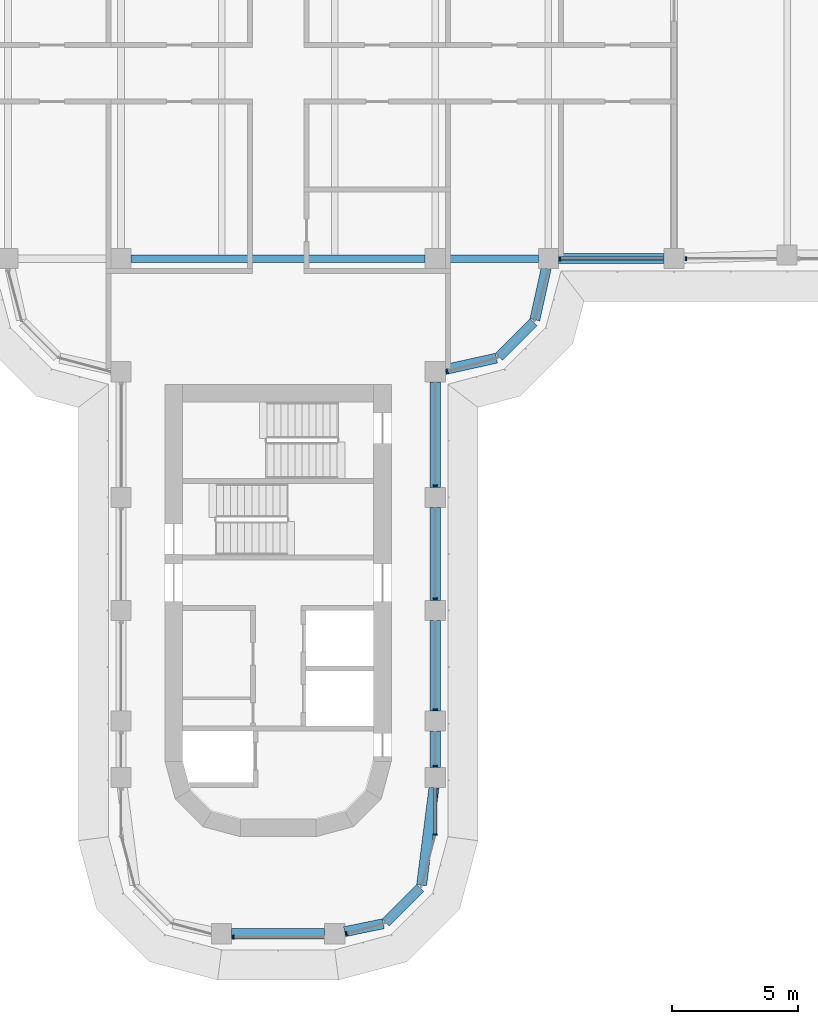
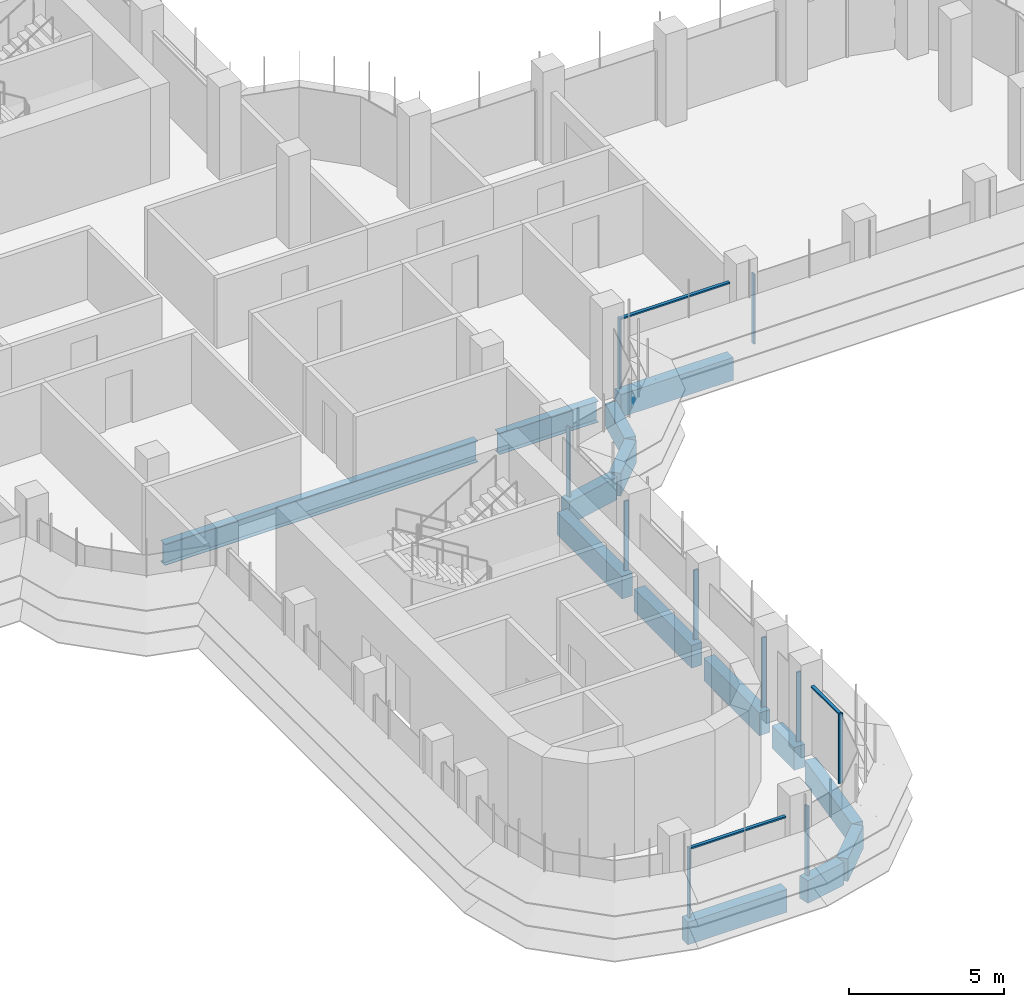
# One storey, part 4 of 20: 14 beams, 13 members, 5 elements without a shape of their own.
"""IFC4 building model written with IfcOpenShell, lengths in metres."""

from ifc_helpers import new_model, si_unit, direction, frame, origin, origin_2d, place, context, subcontext, project, spatial, polyline, rectangle, i_section, outline, extrude, source, transform, mapped, material, material_profile, profile_set, type_object, element, aggregate, save


model = new_model("IFC4")

# Units and contexts
model_context = context("Model", 3, precision=1e-05, world=origin(), true_north=direction((0.0, 1.0)))
body_context = subcontext(model_context, "Body", "Model", "MODEL_VIEW")
ifc_project = project(units=[si_unit("LENGTHUNIT", "METRE"), si_unit("AREAUNIT", "SQUARE_METRE"), si_unit("VOLUMEUNIT", "CUBIC_METRE"), si_unit("PLANEANGLEUNIT", "RADIAN"), si_unit("MASSUNIT", "GRAM", prefix="KILO")], contexts=[model_context])

# Site, building, storey
site_placement = place(None, origin())
site = spatial("IfcSite", under=ifc_project, at=site_placement, CompositionType="ELEMENT")
building_placement = place(site_placement, origin())
building = spatial("IfcBuilding", under=site, at=building_placement, Name="Zarbagh Exchange Tower", CompositionType="ELEMENT")
storey_placement = place(building_placement, frame((0.0, 0.0, 148.60009765625)))
storey = spatial("IfcBuildingStorey", under=building, at=storey_placement, Name="L35", CompositionType="ELEMENT", Elevation=148.60009765625)

# Beams
ifc_material_1 = material(Name="Steel ASTM A992 Gr 50", Category="steel")
ifc_material_profile_1 = material_profile(ifc_material_1, i_section(OverallWidth=0.2919921875, OverallDepth=0.835693359375, WebThickness=0.013916015625, FlangeThickness=0.018798828125, at=origin_2d()), Name="W33X118")
ifc_profile_set_1 = profile_set([ifc_material_profile_1], Name="Steel ASTM A992 Gr 50")
beam_type_1 = type_object("IfcBeamType", Name="Floor girder W33X118", PredefinedType="BEAM", material=ifc_profile_set_1)
beam_1_placement = place(storey_placement, frame((-5.85009765625, -6.25, -0.56787109375), z_axis=(1.0, 0.0, 0.0), x_axis=(0.0, 1.0, 0.0)))
element("IfcBeam", 1, at=beam_1_placement, inside=storey, type_object=beam_type_1, Name="Steel girder", PredefinedType="BEAM", context=body_context, shape_type="SweptSolid", body=[
    extrude(i_section(OverallWidth=0.2919921875, OverallDepth=0.835693359375, WebThickness=0.013916015625, FlangeThickness=0.018798828125, at=origin_2d()), origin(), (0.0, 0.0, 1.0), 11.7001953125),
])
beam_2_placement = place(storey_placement, frame((6.64990234375, -6.25, -0.56787109375), z_axis=(1.0, 0.0, 0.0), x_axis=(0.0, 1.0, 0.0)))
element("IfcBeam", 2, at=beam_2_placement, inside=storey, type_object=beam_type_1, Name="Steel girder", PredefinedType="BEAM", context=body_context, shape_type="SweptSolid", body=[
    extrude(i_section(OverallWidth=0.2919921875, OverallDepth=0.835693359375, WebThickness=0.013916015625, FlangeThickness=0.018798828125, at=origin_2d()), origin(), (0.0, 0.0, 1.0), 3.7001953125),
])
ifc_material_2 = material(Name="Concrete C50/60", Category="concrete")
ifc_material_profile_2 = material_profile(ifc_material_2, rectangle(XDim=0.39990234375, YDim=0.89990234375, at=origin_2d()), Name="RC spandrel beam 400 x 900 C50/60")
ifc_profile_set_2 = profile_set([ifc_material_profile_2], Name="Concrete C50/60")
beam_type_2 = type_object("IfcBeamType", Name="RC spandrel beam 400 x 900 C50/60", PredefinedType="SPANDREL", material=ifc_profile_set_2)
beam_3_placement = place(storey_placement, frame((15.35009765625, -6.25, -0.60009765625), z_axis=(-1.0, 0.0, 0.0), x_axis=(0.0, -1.0, 0.0)))
element("IfcBeam", 3, at=beam_3_placement, inside=storey, type_object=beam_type_2, Name="RC spandrel beam", PredefinedType="SPANDREL", context=body_context, shape_type="SweptSolid", body=[
    extrude(rectangle(XDim=0.39990234375, YDim=0.89990234375, at=origin_2d()), origin(), (0.0, 0.0, 1.0), 4.2001953125),
])
beam_4_placement = place(storey_placement, frame((10.66357421875, -6.640625, -0.60009765625), z_axis=(-0.216041061437, -0.976384278741, 0.0), x_axis=(0.976384278741, -0.216041061437, 0.0)))
element("IfcBeam", 4, at=beam_4_placement, inside=storey, type_object=beam_type_2, Name="RC spandrel beam", PredefinedType="SPANDREL", context=body_context, shape_type="SweptSolid", body=[
    extrude(rectangle(XDim=0.39990234375, YDim=0.89990234375, at=origin_2d()), origin(), (0.0, 0.0, 1.0), 2.0927734375),
])
beam_5_placement = place(storey_placement, frame((10.15771484375, -8.782470703125, -0.60009765625), z_axis=(-0.707106781187, -0.707106781187, 0.0), x_axis=(0.707106781187, -0.707106781187, 0.0)))
element("IfcBeam", 5, at=beam_5_placement, inside=storey, type_object=beam_type_2, Name="RC spandrel beam", PredefinedType="SPANDREL", context=body_context, shape_type="SweptSolid", body=[
    extrude(rectangle(XDim=0.39990234375, YDim=0.89990234375, at=origin_2d()), origin(), (0.0, 0.0, 1.0), 1.94482421875),
])
beam_6_placement = place(storey_placement, frame((8.68408203125, -10.21142578125, -0.60009765625), z_axis=(-0.976384278741, -0.216041061437, 0.0), x_axis=(0.216041061437, -0.976384278741, 0.0)))
element("IfcBeam", 6, at=beam_6_placement, inside=storey, type_object=beam_type_2, Name="RC spandrel beam", PredefinedType="SPANDREL", context=body_context, shape_type="SweptSolid", body=[
    extrude(rectangle(XDim=0.39990234375, YDim=0.89990234375, at=origin_2d()), origin(), (0.0, 0.0, 1.0), 2.0927734375),
])
beam_7_placement = place(storey_placement, frame((6.25, -11.14990234375, -0.60009765625), z_axis=(0.0, -1.0, 0.0), x_axis=(1.0, 0.0, 0.0)))
element("IfcBeam", 7, at=beam_7_placement, inside=storey, type_object=beam_type_2, Name="RC spandrel beam", PredefinedType="SPANDREL", context=body_context, shape_type="SweptSolid", body=[
    extrude(rectangle(XDim=0.39990234375, YDim=0.89990234375, at=origin_2d()), origin(), (0.0, 0.0, 1.0), 4.2001953125),
])
beam_8_placement = place(storey_placement, frame((6.25, -16.14990234375, -0.60009765625), z_axis=(0.0, -1.0, 0.0), x_axis=(1.0, 0.0, 0.0)))
element("IfcBeam", 8, at=beam_8_placement, inside=storey, type_object=beam_type_2, Name="RC spandrel beam", PredefinedType="SPANDREL", context=body_context, shape_type="SweptSolid", body=[
    extrude(rectangle(XDim=0.39990234375, YDim=0.89990234375, at=origin_2d()), origin(), (0.0, 0.0, 1.0), 3.7001953125),
])
beam_9_placement = place(storey_placement, frame((6.25, -20.64990234375, -0.60009765625), z_axis=(0.0, -1.0, 0.0), x_axis=(1.0, 0.0, 0.0)))
element("IfcBeam", 9, at=beam_9_placement, inside=storey, type_object=beam_type_2, Name="RC spandrel beam", PredefinedType="SPANDREL", context=body_context, shape_type="SweptSolid", body=[
    extrude(rectangle(XDim=0.39990234375, YDim=0.89990234375, at=origin_2d()), origin(), (0.0, 0.0, 1.0), 3.60009765625),
])
beam_10_placement = place(storey_placement, frame((6.25, -25.050048828125, -0.60009765625), z_axis=(0.0, -1.0, 0.0), x_axis=(1.0, 0.0, 0.0)))
element("IfcBeam", 10, at=beam_10_placement, inside=storey, type_object=beam_type_2, Name="RC spandrel beam", PredefinedType="SPANDREL", context=body_context, shape_type="SweptSolid", body=[
    extrude(rectangle(XDim=0.39990234375, YDim=0.89990234375, at=origin_2d()), origin(), (0.0, 0.0, 1.0), 1.449951171875),
])
beam_11_placement = place(storey_placement, frame((6.19970703125, -27.296875, -0.60009765625), z_axis=(-0.125956921243, -0.992035712054, 0.0), x_axis=(0.992035712054, -0.125956921243, 0.0)))
element("IfcBeam", 11, at=beam_11_placement, inside=storey, type_object=beam_type_2, Name="RC spandrel beam", PredefinedType="SPANDREL", context=body_context, shape_type="SweptSolid", body=[
    extrude(rectangle(XDim=0.39990234375, YDim=0.89990234375, at=origin_2d()), origin(), (0.0, 0.0, 1.0), 3.907470703125),
])
beam_12_placement = place(storey_placement, frame((5.650390625, -31.28955078125, -0.60009765625), z_axis=(-0.707106781187, -0.707106781187, 0.0), x_axis=(0.707106781187, -0.707106781187, 0.0)))
element("IfcBeam", 12, at=beam_12_placement, inside=storey, type_object=beam_type_2, Name="RC spandrel beam", PredefinedType="SPANDREL", context=body_context, shape_type="SweptSolid", body=[
    extrude(rectangle(XDim=0.39990234375, YDim=0.89990234375, at=origin_2d()), origin(), (0.0, 0.0, 1.0), 1.93310546875),
])
beam_13_placement = place(storey_placement, frame((4.1826171875, -32.7109375, -0.60009765625), z_axis=(-0.979350550491, -0.20216948151, 0.0), x_axis=(0.20216948151, -0.979350550491, 0.0)))
element("IfcBeam", 13, at=beam_13_placement, inside=storey, type_object=beam_type_2, Name="RC spandrel beam", PredefinedType="SPANDREL", context=body_context, shape_type="SweptSolid", body=[
    extrude(rectangle(XDim=0.39990234375, YDim=0.89990234375, at=origin_2d()), origin(), (0.0, 0.0, 1.0), 1.573486328125),
])
beam_14_placement = place(storey_placement, frame((1.85009765625, -33.110107421875, -0.60009765625), z_axis=(-1.0, 0.0, 0.0), x_axis=(0.0, -1.0, 0.0)))
element("IfcBeam", 14, at=beam_14_placement, inside=storey, type_object=beam_type_2, Name="RC spandrel beam", PredefinedType="SPANDREL", context=body_context, shape_type="SweptSolid", body=[
    extrude(rectangle(XDim=0.39990234375, YDim=0.89990234375, at=origin_2d()), origin(), (0.0, 0.0, 1.0), 3.7001953125),
])

# Curtain wall, member
ifc_material_3 = material(Name="Anodised aluminium frame and glazing", Category="aluminium")
curtain_wall_type = type_object("IfcCurtainWallType", Name="CWB Ribbon glazing, upper zones", PredefinedType="NOTDEFINED", material=ifc_material_3)
curtain_wall_1_placement = place(storey_placement, origin())
curtain_wall_1 = element("IfcCurtainWall", 15, at=curtain_wall_1_placement, inside=storey, type_object=curtain_wall_type, Name="CWB01 curtain wall", PredefinedType="NOTDEFINED")
ifc_material_4 = material(Name="Anodised aluminium frame", Category="aluminium")
member_type_1 = type_object("IfcMemberType", Name="MUB Mullion, anodised aluminium frame", PredefinedType="MULLION", material=ifc_material_4)
shared_shape_1 = source(origin(), body_context, "Body", "SweptSolid", [
    extrude(outline(polyline([(0.0, -0.080078125), (0.06005859375, -0.080078125), (0.06005859375, 0.080078125), (0.0, 0.080078125), (0.0, -0.080078125)])), origin(), (0.0, 0.0, 1.0), 2.75),
])
placement = place(storey_placement, origin())
member_1 = element("IfcMember", 16, at=placement, type_object=member_type_1, Name="CWB01 mullion 1.1", PredefinedType="MULLION", context=body_context, shape_type="MappedRepresentation", body=[
    mapped(shared_shape_1, transform((2.68994140625, -33.114501953125, 0.0), x_axis=(0.965924289636, 0.258824779902, 0.0), y_axis=(-0.258824779902, 0.965924289636, 0.0), z_axis=(0.0, 0.0, 1.0))),
])
aggregate(curtain_wall_1, [member_1])

# Curtain wall, members
curtain_wall_2_placement = place(storey_placement, origin())
curtain_wall_2 = element("IfcCurtainWall", 17, at=curtain_wall_2_placement, inside=storey, type_object=curtain_wall_type, Name="CWB04 curtain wall", PredefinedType="NOTDEFINED")
member_2 = element("IfcMember", 18, at=placement, type_object=member_type_1, Name="CWB04 mullion 1.1", PredefinedType="MULLION", context=body_context, shape_type="MappedRepresentation", body=[
    mapped(shared_shape_1, transform((6.25, -29.18408203125, 0.0), x_axis=(0.0, 1.0, 0.0), y_axis=(-1.0, 0.0, 0.0), z_axis=(0.0, 0.0, 1.0))),
])
member_3 = element("IfcMember", 19, at=placement, type_object=member_type_1, Name="CWB04 mullion 2.1", PredefinedType="MULLION", context=body_context, shape_type="MappedRepresentation", body=[
    mapped(shared_shape_1, transform((6.25, -26.4599609375, 0.0), x_axis=(0.0, 1.0, 0.0), y_axis=(-1.0, 0.0, 0.0), z_axis=(0.0, 0.0, 1.0))),
])
member_4 = element("IfcMember", 20, at=placement, type_object=member_type_1, Name="CWB04 mullion 3.1", PredefinedType="MULLION", context=body_context, shape_type="MappedRepresentation", body=[
    mapped(shared_shape_1, transform((6.25, -24.2099609375, 0.0), x_axis=(0.0, 1.0, 0.0), y_axis=(-1.0, 0.0, 0.0), z_axis=(0.0, 0.0, 1.0))),
])
member_5 = element("IfcMember", 21, at=placement, type_object=member_type_1, Name="CWB04 mullion 4.1", PredefinedType="MULLION", context=body_context, shape_type="MappedRepresentation", body=[
    mapped(shared_shape_1, transform((6.25, -19.81005859375, 0.0), x_axis=(0.0, 1.0, 0.0), y_axis=(-1.0, 0.0, 0.0), z_axis=(0.0, 0.0, 1.0))),
])
member_6 = element("IfcMember", 22, at=placement, type_object=member_type_1, Name="CWB04 mullion 5.1", PredefinedType="MULLION", context=body_context, shape_type="MappedRepresentation", body=[
    mapped(shared_shape_1, transform((6.25, -15.31005859375, 0.0), x_axis=(0.0, 1.0, 0.0), y_axis=(-1.0, 0.0, 0.0), z_axis=(0.0, 0.0, 1.0))),
])

# Curtain wall, member
curtain_wall_3_placement = place(storey_placement, origin())
curtain_wall_3 = element("IfcCurtainWall", 23, at=curtain_wall_3_placement, inside=storey, type_object=curtain_wall_type, Name="CWB05 curtain wall", PredefinedType="NOTDEFINED")
member_7 = element("IfcMember", 24, at=placement, type_object=member_type_1, Name="CWB05 mullion 1.1", PredefinedType="MULLION", context=body_context, shape_type="MappedRepresentation", body=[
    mapped(shared_shape_1, transform((6.68994140625, -10.74853515625, 0.0), x_axis=(0.965924289636, 0.258824779902, 0.0), y_axis=(-0.258824779902, 0.965924289636, 0.0), z_axis=(0.0, 0.0, 1.0))),
])
aggregate(curtain_wall_3, [member_7])

# Curtain wall, members
curtain_wall_4_placement = place(storey_placement, origin())
curtain_wall_4 = element("IfcCurtainWall", 25, at=curtain_wall_4_placement, inside=storey, type_object=curtain_wall_type, Name="CWB08 curtain wall", PredefinedType="NOTDEFINED")
member_8 = element("IfcMember", 26, at=placement, type_object=member_type_1, Name="CWB08 mullion 1.1", PredefinedType="MULLION", context=body_context, shape_type="MappedRepresentation", body=[
    mapped(shared_shape_1, transform((11.18994140625, -6.25, 0.0), x_axis=(1.0, 0.0, 0.0), y_axis=(0.0, 1.0, 0.0), z_axis=(0.0, 0.0, 1.0))),
])
member_9 = element("IfcMember", 27, at=placement, type_object=member_type_1, Name="CWB08 mullion 2.1", PredefinedType="MULLION", context=body_context, shape_type="MappedRepresentation", body=[
    mapped(shared_shape_1, transform((16.18994140625, -6.25, 0.0), x_axis=(1.0, 0.0, 0.0), y_axis=(0.0, 1.0, 0.0), z_axis=(0.0, 0.0, 1.0))),
])

# Curtain wall, member
curtain_wall_5_placement = place(storey_placement, origin())
curtain_wall_5 = element("IfcCurtainWall", 28, at=curtain_wall_5_placement, inside=storey, type_object=curtain_wall_type, Name="CWB48 curtain wall", PredefinedType="NOTDEFINED")
member_10 = element("IfcMember", 29, at=placement, type_object=member_type_1, Name="CWB48 mullion 1.1", PredefinedType="MULLION", context=body_context, shape_type="MappedRepresentation", body=[
    mapped(shared_shape_1, transform((-1.81005859375, -33.25, 0.0), x_axis=(1.0, 0.0, 0.0), y_axis=(0.0, 1.0, 0.0), z_axis=(0.0, 0.0, 1.0))),
])

# Member
member_type_2 = type_object("IfcMemberType", Name="TRB Transom, anodised aluminium frame", PredefinedType="USERDEFINED", material=ifc_material_4)
shared_shape_2 = source(origin(), body_context, "Body", "SweptSolid", [
    extrude(outline(polyline([(-0.06005859375, -0.06005859375), (0.0, -0.06005859375), (0.0, 0.06005859375), (-0.06005859375, 0.06005859375), (-0.06005859375, -0.06005859375)])), origin(), (0.0, 0.0, 1.0), 1.7841796875),
])
member_11 = element("IfcMember", 30, at=placement, type_object=member_type_2, Name="CWB04 transom 1.1", ObjectType="TRANSOM", PredefinedType="USERDEFINED", context=body_context, shape_type="MappedRepresentation", body=[
    mapped(shared_shape_2, transform((6.25, -29.124267578125, 2.75), x_axis=(0.0, 0.0, 1.0), y_axis=(1.0, 0.0, 0.0), z_axis=(0.0, 1.0, 0.0))),
])

aggregate(curtain_wall_2, [member_2, member_11, member_3, member_4, member_5, member_6])

shared_shape_3 = source(origin(), body_context, "Body", "SweptSolid", [
    extrude(outline(polyline([(-0.06005859375, -0.06005859375), (0.0, -0.06005859375), (0.0, 0.06005859375), (-0.06005859375, 0.06005859375), (-0.06005859375, -0.06005859375)])), origin(), (0.0, 0.0, 1.0), 4.06005859375),
])
member_12 = element("IfcMember", 31, at=placement, type_object=member_type_2, Name="CWB08 transom 1.1", ObjectType="TRANSOM", PredefinedType="USERDEFINED", context=body_context, shape_type="MappedRepresentation", body=[
    mapped(shared_shape_3, transform((11.25, -6.25, 2.75), x_axis=(0.0, 0.0, 1.0), y_axis=(0.0, -1.0, 0.0), z_axis=(1.0, 0.0, 0.0))),
])

aggregate(curtain_wall_4, [member_8, member_12, member_9])

shared_shape_4 = source(origin(), body_context, "Body", "SweptSolid", [
    extrude(outline(polyline([(-0.06005859375, -0.06005859375), (0.0, -0.06005859375), (0.0, 0.06005859375), (-0.06005859375, 0.06005859375), (-0.06005859375, -0.06005859375)])), origin(), (0.0, 0.0, 1.0), 3.56005859375),
])
member_13 = element("IfcMember", 32, at=placement, type_object=member_type_2, Name="CWB48 transom 1.1", ObjectType="TRANSOM", PredefinedType="USERDEFINED", context=body_context, shape_type="MappedRepresentation", body=[
    mapped(shared_shape_4, transform((-1.75, -33.25, 2.75), x_axis=(0.0, 0.0, 1.0), y_axis=(0.0, -1.0, 0.0), z_axis=(1.0, 0.0, 0.0))),
])

aggregate(curtain_wall_5, [member_10, member_13])

save(model, "model.ifc")
